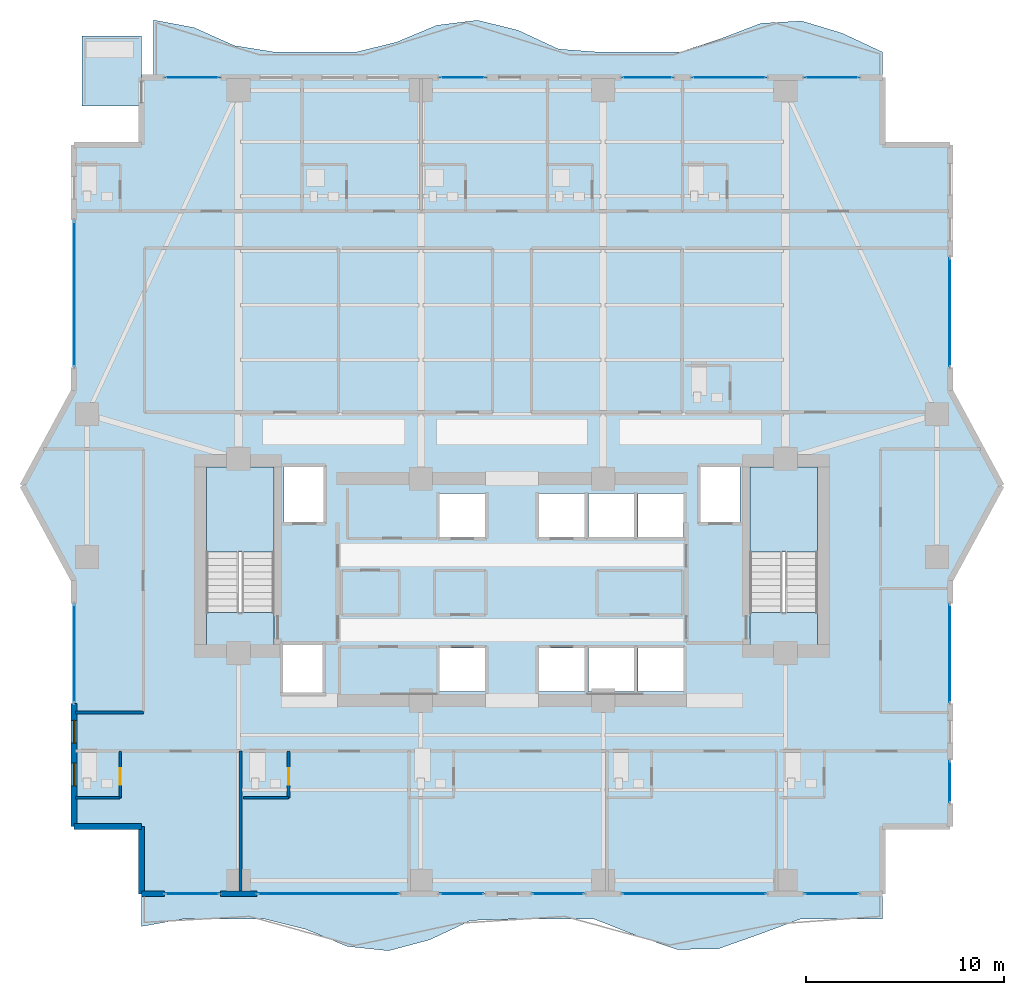
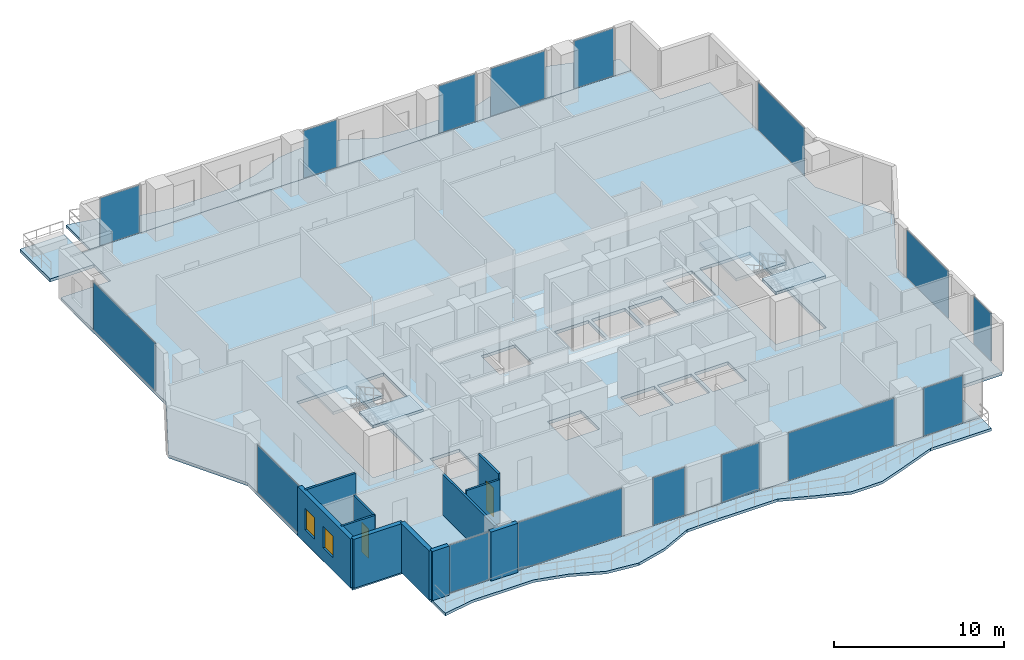
# One storey, part 23 of 32: 16 plates, 11 walls, 8 slabs, 2 doors, 2 windows, 4 openings, 18 elements without a shape of their own.
"""IFC4 building model written with IfcOpenShell, lengths in metres."""

import ifcopenshell
import ifcopenshell.guid

model = None  # the IFC model being written
_history = None  # IfcOwnerHistory: only IFC2X3 demands one
_inside = {}  # id of a spatial element -> (the spatial element, [elements in it])
_under = {}  # id of a project, library or spatial element -> (it, [spatial elements below it])
_declared = {}  # id of a project -> (the project, [libraries it declares])
_typed = {}  # id of a type object -> (the type object, [elements of that type])
_made_of = {}  # id of a material, layer set ... -> (it, [elements and type objects made of it])


def new_model(schema):
    """Start an empty IFC model of exactly this schema.

    Asked for "IFC4X3", IfcOpenShell would pick the latest addendum, in which some entities
    have other attributes; the version numbers below select the first issue.
    IFC2X3 requires an IfcOwnerHistory on every rooted entity: one is made here for all.
    """
    global model, _history
    if schema == "IFC4X3":
        model = ifcopenshell.file(schema_version=(4, 3, 0, 0))
    else:
        model = ifcopenshell.file(schema=schema)
    _inside.clear()
    _under.clear()
    _declared.clear()
    _typed.clear()
    _made_of.clear()
    _history = None
    if model.schema == "IFC2X3":
        org = make("IfcOrganization", Name="unknown")
        user = make(
            "IfcPersonAndOrganization",
            ThePerson=make("IfcPerson", FamilyName="unknown"),
            TheOrganization=org,
        )
        app = make(
            "IfcApplication",
            ApplicationDeveloper=org,
            Version="unknown",
            ApplicationFullName="unknown",
            ApplicationIdentifier="unknown",
        )
        _history = make(
            "IfcOwnerHistory",
            OwningUser=user,
            OwningApplication=app,
            ChangeAction="ADDED",
            CreationDate=0,
        )
    return model


def make(cls, **values):
    """One entity of the class cls with the attributes given. An attribute that is None is left unset."""
    return model.create_entity(
        cls, **{name: value for name, value in values.items() if value is not None}
    )


def rooted(cls, **values):
    """An entity with a GlobalId (a new one), such as an element, a storey or a relation."""
    return make(cls, GlobalId=ifcopenshell.guid.new(), OwnerHistory=_history, **values)


def si_unit(unit_type, name, prefix=None):
    """IfcSIUnit, for example si_unit("LENGTHUNIT", "METRE", prefix="MILLI")."""
    return make("IfcSIUnit", UnitType=unit_type, Prefix=prefix, Name=name)


def assignment(units):
    """IfcUnitAssignment: the units of a project."""
    return None if units is None else make("IfcUnitAssignment", Units=units)


def point(xyz):
    """IfcCartesianPoint."""
    return None if xyz is None else make("IfcCartesianPoint", Coordinates=xyz)


def direction(xyz):
    """IfcDirection."""
    return None if xyz is None else make("IfcDirection", DirectionRatios=xyz)


def frame(location, z_axis=None, x_axis=None):
    """IfcAxis2Placement3D, a coordinate frame: its origin and axes. An axis left out is left unset."""
    return make(
        "IfcAxis2Placement3D",
        Location=point(location),
        Axis=direction(z_axis),
        RefDirection=direction(x_axis),
    )


def frame_2d(location, x_axis=None):
    """IfcAxis2Placement2D, a coordinate frame in the plane: its origin and x axis."""
    return make(
        "IfcAxis2Placement2D", Location=point(location), RefDirection=direction(x_axis)
    )


def origin():
    """The frame at (0, 0, 0) with its axes left unset."""
    return frame((0.0, 0.0, 0.0))


def origin_2d():
    """The frame at (0, 0) in the plane with its x axis left unset."""
    return frame_2d((0.0, 0.0))


def place(relative_to, where):
    """IfcLocalPlacement: puts the frame where relative to a parent placement (None: the world)."""
    return make(
        "IfcLocalPlacement", PlacementRelTo=relative_to, RelativePlacement=where
    )


def context(
    kind, dimensions, precision=None, world=None, true_north=None, identifier=None
):
    """IfcGeometricRepresentationContext, for example the 3D "Model" context."""
    return make(
        "IfcGeometricRepresentationContext",
        ContextIdentifier=identifier,
        ContextType=kind,
        CoordinateSpaceDimension=dimensions,
        Precision=precision,
        WorldCoordinateSystem=world,
        TrueNorth=true_north,
    )


def subcontext(parent, identifier, kind, view, scale=None):
    """IfcGeometricRepresentationSubContext, for example "Body" below "Model"."""
    return make(
        "IfcGeometricRepresentationSubContext",
        ContextIdentifier=identifier,
        ContextType=kind,
        ParentContext=parent,
        TargetScale=scale,
        TargetView=view,
    )


def project(units=None, contexts=None):
    """IfcProject with its units and contexts."""
    return rooted(
        "IfcProject",
        Name="project",
        RepresentationContexts=contexts,
        UnitsInContext=assignment(units),
    )


def spatial(cls, under=None, at=None, **own):
    """A site, building, storey or space (cls), placed at a placement, below another one or the project."""
    s = rooted(cls, ObjectPlacement=at, **own)
    if under is not None:
        _under.setdefault(under.id(), (under, []))[1].append(s)
    return s


def polyline(points):
    """IfcPolyline through the points."""
    return make("IfcPolyline", Points=[point(p) for p in points])


def profile(cls, at=None, kind="AREA", **sizes):
    """A parametric profile (cls). Its sizes go by their IFC names, for example OverallWidth=200.0."""
    return make(cls, ProfileType=kind, Position=at, **sizes)


def rectangle(**sizes):
    """IfcRectangleProfileDef."""
    return profile("IfcRectangleProfileDef", **sizes)


def outline(outer, holes=None, kind="AREA"):
    """IfcArbitraryClosedProfileDef: a profile drawn as a closed curve; with holes, ...WithVoids."""
    if holes is None:
        return make("IfcArbitraryClosedProfileDef", ProfileType=kind, OuterCurve=outer)
    return make(
        "IfcArbitraryProfileDefWithVoids",
        ProfileType=kind,
        OuterCurve=outer,
        InnerCurves=holes,
    )


def extrude(swept, where, along, depth):
    """IfcExtrudedAreaSolid: the profile swept, set in the frame where, extruded along a direction by depth."""
    return make(
        "IfcExtrudedAreaSolid",
        SweptArea=swept,
        Position=where,
        ExtrudedDirection=direction(along),
        Depth=depth,
    )


def shape(context_of_items, identifier, shape_type, items):
    """IfcShapeRepresentation: the items that make up one representation, for example the "Body"."""
    return make(
        "IfcShapeRepresentation",
        ContextOfItems=context_of_items,
        RepresentationIdentifier=identifier,
        RepresentationType=shape_type,
        Items=items,
    )


def material(Name=None, Category=None):
    """IfcMaterial."""
    return make("IfcMaterial", Name=Name, Category=Category)


def layer(
    of_material, thickness, ventilated=None, Name=None, Category=None, Priority=None
):
    """IfcMaterialLayer: one layer of a wall or slab, of a material (None: an air gap)."""
    return make(
        "IfcMaterialLayer",
        Material=of_material,
        LayerThickness=thickness,
        IsVentilated=ventilated,
        Name=Name,
        Category=Category,
        Priority=Priority,
    )


def layer_set(layers, Name=None):
    """IfcMaterialLayerSet."""
    return make("IfcMaterialLayerSet", MaterialLayers=layers, LayerSetName=Name)


def made_of(thing, what):
    """Note that an element or type object is made of a material, layer set ...; save() writes the relation."""
    if what is not None:
        _made_of.setdefault(what.id(), (what, []))[1].append(thing)
    return thing


def type_object(cls, material=None, **own):
    """A type object (cls), such as IfcWallType, which elements share."""
    return made_of(rooted(cls, **own), material)


def element(
    cls,
    number,
    at=None,
    inside=None,
    cuts=None,
    type_object=None,
    material=None,
    context=None,
    identifier="Body",
    shape_type=None,
    held_by="IfcProductDefinitionShape",
    body=None,
    shapes=None,
    **own,
):
    """One element of the class cls, such as IfcWall. Its Tag is "e" and its number.

    at: its placement. inside: the storey or other place that contains it. cuts: it is an
    opening in that element (IfcRelVoidsElement). A single representation is given by context,
    identifier, shape_type and body (its items); several are given by shapes. held_by: the class
    of the entity that holds the representations. save() writes the other relations.
    """
    e = rooted(cls, Tag="e%d" % number, ObjectPlacement=at, **own)
    if body is not None:
        shapes = [shape(context, identifier, shape_type, body)]
    if shapes is not None:
        e.Representation = make(held_by, Representations=shapes)
    if inside is not None:
        _inside.setdefault(inside.id(), (inside, []))[1].append(e)
    if cuts is not None:
        rooted(
            "IfcRelVoidsElement", RelatingBuildingElement=cuts, RelatedOpeningElement=e
        )
    if type_object is not None:
        _typed.setdefault(type_object.id(), (type_object, []))[1].append(e)
    return made_of(e, material)


def fill(opening, filler):
    """IfcRelFillsElement: the door or window that sits in an opening."""
    return rooted(
        "IfcRelFillsElement",
        RelatingOpeningElement=opening,
        RelatedBuildingElement=filler,
    )


def aggregate(whole, parts):
    """IfcRelAggregates: a whole, such as a stair, and the parts it consists of."""
    return rooted("IfcRelAggregates", RelatingObject=whole, RelatedObjects=parts)


def save(model, path):
    """Write the relations noted so far, then the file.

    IfcRelAggregates (storeys below a building ...), IfcRelContainedInSpatialStructure (elements
    in a storey), IfcRelDefinesByType, IfcRelAssociatesMaterial and IfcRelDeclares: one each for
    every whole, place, type object, material and project.
    """
    for whole, parts in _under.values():
        aggregate(whole, parts)
    for where, things in _inside.values():
        rooted(
            "IfcRelContainedInSpatialStructure",
            RelatedElements=things,
            RelatingStructure=where,
        )
    for kind, things in _typed.values():
        rooted("IfcRelDefinesByType", RelatedObjects=things, RelatingType=kind)
    for what, things in _made_of.values():
        rooted("IfcRelAssociatesMaterial", RelatedObjects=things, RelatingMaterial=what)
    for by, libraries in _declared.values():
        rooted("IfcRelDeclares", RelatingContext=by, RelatedDefinitions=libraries)
    model.write(path)


model = new_model("IFC4")

# Units and contexts
model_context = context("Model", 3, precision=1e-05, world=origin(), true_north=direction((0.0, 1.0)))
body_context = subcontext(model_context, "Body", "Model", "MODEL_VIEW")
ifc_project = project(units=[si_unit("LENGTHUNIT", "METRE"), si_unit("AREAUNIT", "SQUARE_METRE"), si_unit("VOLUMEUNIT", "CUBIC_METRE"), si_unit("PLANEANGLEUNIT", "RADIAN"), si_unit("MASSUNIT", "GRAM", prefix="KILO")], contexts=[model_context])

# Site, building, storey
site_placement = place(None, origin())
site = spatial("IfcSite", under=ifc_project, at=site_placement, CompositionType="ELEMENT")
building_placement = place(site_placement, origin())
building = spatial("IfcBuilding", under=site, at=building_placement, Name="Zuhayl Quay Hotel", CompositionType="ELEMENT")
storey_placement = place(building_placement, frame((0.0, 0.0, 181.14990234375)))
storey = spatial("IfcBuildingStorey", under=building, at=storey_placement, Name="L45", CompositionType="ELEMENT", Elevation=181.14990234375)

# Curtain wall, plate
ifc_material_1 = material(Name="Anodised Aluminium 6063-T6", Category="aluminium")
ifc_layer_1 = layer(ifc_material_1, 0.175048828125, Name="Anodised Aluminium 6063-T6", Category="aluminium")
ifc_layer_set_1 = layer_set([ifc_layer_1], Name="Anodised Aluminium 6063-T6")
curtain_wall_type = type_object("IfcCurtainWallType", Name="CW_SYS_Z3", PredefinedType="USERDEFINED", material=ifc_layer_set_1)
curtain_wall_1_placement = place(storey_placement, origin())
curtain_wall_1 = element("IfcCurtainWall", 1, at=curtain_wall_1_placement, inside=storey, type_object=curtain_wall_type, Name="L45 Curtain Wall ENV_L45_E02_CW1", ObjectType="UNITISED CURTAIN WALL", PredefinedType="USERDEFINED")
ifc_material_2 = material(Name="Dark Ceramic-Fritted Solar Glass", Category="glass")
ifc_layer_2 = layer(ifc_material_2, 0.0400390625, Name="Dark Ceramic-Fritted Solar Glass", Category="glass")
ifc_layer_set_2 = layer_set([ifc_layer_2], Name="Dark Ceramic-Fritted Solar Glass")
plate_type = type_object("IfcPlateType", Name="PN_OP_VENT_Z3", PredefinedType="CURTAIN_PANEL", material=ifc_layer_set_2)
plate_1_placement = place(storey_placement, frame((-22.10009765625, 4.52490234375, 0.05517578125), z_axis=(0.0, 0.0, 1.0), x_axis=(0.0, 1.0, 0.0)))
plate_1 = element("IfcPlate", 2, at=plate_1_placement, type_object=plate_type, Name="CW-Z3 panel 1.1", PredefinedType="CURTAIN_PANEL", context=body_context, shape_type="SweptSolid", body=[
    extrude(rectangle(XDim=4.919921875, YDim=0.0400390625, at=origin_2d()), origin(), (0.0, 0.0, 1.0), 3.419921875),
])
aggregate(curtain_wall_1, [plate_1])

curtain_wall_2_placement = place(storey_placement, origin())
curtain_wall_2 = element("IfcCurtainWall", 3, at=curtain_wall_2_placement, inside=storey, type_object=curtain_wall_type, Name="L45 Curtain Wall ENV_L45_E05_CW1", ObjectType="UNITISED CURTAIN WALL", PredefinedType="USERDEFINED")
plate_2_placement = place(storey_placement, frame((-22.10009765625, 22.675048828125, 0.05517578125), z_axis=(0.0, 0.0, 1.0), x_axis=(0.0, 1.0, 0.0)))
plate_2 = element("IfcPlate", 4, at=plate_2_placement, type_object=plate_type, Name="CW-Z3 panel 1.1", PredefinedType="CURTAIN_PANEL", context=body_context, shape_type="SweptSolid", body=[
    extrude(rectangle(XDim=7.320068359375, YDim=0.0400390625, at=origin_2d()), origin(), (0.0, 0.0, 1.0), 3.419921875),
])
aggregate(curtain_wall_2, [plate_2])

curtain_wall_3_placement = place(storey_placement, origin())
curtain_wall_3 = element("IfcCurtainWall", 5, at=curtain_wall_3_placement, inside=storey, type_object=curtain_wall_type, Name="L45 Curtain Wall ENV_L45_N_CW1", ObjectType="UNITISED CURTAIN WALL", PredefinedType="USERDEFINED")
plate_3_placement = place(storey_placement, frame((-16.135009765625, 33.60009765625, 0.05517578125), z_axis=(0.0, 0.0, 1.0), x_axis=(1.0, 0.0, 0.0)))
plate_3 = element("IfcPlate", 6, at=plate_3_placement, type_object=plate_type, Name="CW-Z3 panel 1.1", PredefinedType="CURTAIN_PANEL", context=body_context, shape_type="SweptSolid", body=[
    extrude(rectangle(XDim=2.699951171875, YDim=0.0400390625, at=origin_2d()), origin(), (0.0, 0.0, 1.0), 3.419921875),
])
aggregate(curtain_wall_3, [plate_3])

curtain_wall_4_placement = place(storey_placement, origin())
curtain_wall_4 = element("IfcCurtainWall", 7, at=curtain_wall_4_placement, inside=storey, type_object=curtain_wall_type, Name="L45 Curtain Wall ENV_L45_N_CW2", ObjectType="UNITISED CURTAIN WALL", PredefinedType="USERDEFINED")
plate_4_placement = place(storey_placement, frame((-2.487548828125, 33.60009765625, 0.05517578125), z_axis=(0.0, 0.0, 1.0), x_axis=(1.0, 0.0, 0.0)))
plate_4 = element("IfcPlate", 8, at=plate_4_placement, type_object=plate_type, Name="CW-Z3 panel 1.1", PredefinedType="CURTAIN_PANEL", context=body_context, shape_type="SweptSolid", body=[
    extrude(rectangle(XDim=2.2548828125, YDim=0.0400390625, at=origin_2d()), origin(), (0.0, 0.0, 1.0), 3.419921875),
])
aggregate(curtain_wall_4, [plate_4])

curtain_wall_5_placement = place(storey_placement, origin())
curtain_wall_5 = element("IfcCurtainWall", 9, at=curtain_wall_5_placement, inside=storey, type_object=curtain_wall_type, Name="L45 Curtain Wall ENV_L45_N_CW3", ObjectType="UNITISED CURTAIN WALL", PredefinedType="USERDEFINED")
plate_5_placement = place(storey_placement, frame((6.8349609375, 33.60009765625, 0.05517578125), z_axis=(0.0, 0.0, 1.0), x_axis=(1.0, 0.0, 0.0)))
plate_5 = element("IfcPlate", 10, at=plate_5_placement, type_object=plate_type, Name="CW-Z3 panel 1.1", PredefinedType="CURTAIN_PANEL", context=body_context, shape_type="SweptSolid", body=[
    extrude(rectangle(XDim=2.5, YDim=0.0400390625, at=origin_2d()), origin(), (0.0, 0.0, 1.0), 3.419921875),
])
aggregate(curtain_wall_5, [plate_5])

curtain_wall_6_placement = place(storey_placement, origin())
curtain_wall_6 = element("IfcCurtainWall", 11, at=curtain_wall_6_placement, inside=storey, type_object=curtain_wall_type, Name="L45 Curtain Wall ENV_L45_N_CW4", ObjectType="UNITISED CURTAIN WALL", PredefinedType="USERDEFINED")
plate_6_placement = place(storey_placement, frame((10.965087890625, 33.60009765625, 0.05517578125), z_axis=(0.0, 0.0, 1.0), x_axis=(1.0, 0.0, 0.0)))
plate_6 = element("IfcPlate", 12, at=plate_6_placement, type_object=plate_type, Name="CW-Z3 panel 1.1", PredefinedType="CURTAIN_PANEL", context=body_context, shape_type="SweptSolid", body=[
    extrude(rectangle(XDim=3.699951171875, YDim=0.0400390625, at=origin_2d()), origin(), (0.0, 0.0, 1.0), 3.419921875),
])
aggregate(curtain_wall_6, [plate_6])

curtain_wall_7_placement = place(storey_placement, origin())
curtain_wall_7 = element("IfcCurtainWall", 13, at=curtain_wall_7_placement, inside=storey, type_object=curtain_wall_type, Name="L45 Curtain Wall ENV_L45_N_CW5", ObjectType="UNITISED CURTAIN WALL", PredefinedType="USERDEFINED")
plate_7_placement = place(storey_placement, frame((16.135009765625, 33.60009765625, 0.05517578125), z_axis=(0.0, 0.0, 1.0), x_axis=(1.0, 0.0, 0.0)))
plate_7 = element("IfcPlate", 14, at=plate_7_placement, type_object=plate_type, Name="CW-Z3 panel 1.1", PredefinedType="CURTAIN_PANEL", context=body_context, shape_type="SweptSolid", body=[
    extrude(rectangle(XDim=2.699951171875, YDim=0.0400390625, at=origin_2d()), origin(), (0.0, 0.0, 1.0), 3.419921875),
])
aggregate(curtain_wall_7, [plate_7])

curtain_wall_8_placement = place(storey_placement, origin())
curtain_wall_8 = element("IfcCurtainWall", 15, at=curtain_wall_8_placement, inside=storey, type_object=curtain_wall_type, Name="L45 Curtain Wall ENV_L45_E11_CW1", ObjectType="UNITISED CURTAIN WALL", PredefinedType="USERDEFINED")
plate_8_placement = place(storey_placement, frame((22.10009765625, 21.75, 0.05517578125), z_axis=(0.0, 0.0, 1.0), x_axis=(0.0, -1.0, 0.0)))
plate_8 = element("IfcPlate", 16, at=plate_8_placement, type_object=plate_type, Name="CW-Z3 panel 1.1", PredefinedType="CURTAIN_PANEL", context=body_context, shape_type="SweptSolid", body=[
    extrude(rectangle(XDim=5.469970703125, YDim=0.0400390625, at=origin_2d()), origin(), (0.0, 0.0, 1.0), 3.419921875),
])
aggregate(curtain_wall_8, [plate_8])

curtain_wall_9_placement = place(storey_placement, origin())
curtain_wall_9 = element("IfcCurtainWall", 17, at=curtain_wall_9_placement, inside=storey, type_object=curtain_wall_type, Name="L45 Curtain Wall ENV_L45_E14_CW1", ObjectType="UNITISED CURTAIN WALL", PredefinedType="USERDEFINED")
plate_9_placement = place(storey_placement, frame((22.10009765625, 4.52490234375, 0.05517578125), z_axis=(0.0, 0.0, 1.0), x_axis=(0.0, -1.0, 0.0)))
plate_9 = element("IfcPlate", 18, at=plate_9_placement, type_object=plate_type, Name="CW-Z3 panel 1.1", PredefinedType="CURTAIN_PANEL", context=body_context, shape_type="SweptSolid", body=[
    extrude(rectangle(XDim=4.919921875, YDim=0.0400390625, at=origin_2d()), origin(), (0.0, 0.0, 1.0), 3.419921875),
])
aggregate(curtain_wall_9, [plate_9])

curtain_wall_10_placement = place(storey_placement, origin())
curtain_wall_10 = element("IfcCurtainWall", 19, at=curtain_wall_10_placement, inside=storey, type_object=curtain_wall_type, Name="L45 Curtain Wall ENV_L45_E14_CW2", ObjectType="UNITISED CURTAIN WALL", PredefinedType="USERDEFINED")
plate_10_placement = place(storey_placement, frame((22.10009765625, -1.949951171875, 0.05517578125), z_axis=(0.0, 0.0, 1.0), x_axis=(0.0, -1.0, 0.0)))
plate_10 = element("IfcPlate", 20, at=plate_10_placement, type_object=plate_type, Name="CW-Z3 panel 1.1", PredefinedType="CURTAIN_PANEL", context=body_context, shape_type="SweptSolid", body=[
    extrude(rectangle(XDim=2.070068359375, YDim=0.0400390625, at=origin_2d()), origin(), (0.0, 0.0, 1.0), 3.419921875),
])
aggregate(curtain_wall_10, [plate_10])

curtain_wall_11_placement = place(storey_placement, origin())
curtain_wall_11 = element("IfcCurtainWall", 21, at=curtain_wall_11_placement, inside=storey, type_object=curtain_wall_type, Name="L45 Curtain Wall ENV_L45_S_CW1", ObjectType="UNITISED CURTAIN WALL", PredefinedType="USERDEFINED")
plate_11_placement = place(storey_placement, frame((16.135009765625, -7.60009765625, 0.05517578125), z_axis=(0.0, 0.0, 1.0), x_axis=(-1.0, 0.0, 0.0)))
plate_11 = element("IfcPlate", 22, at=plate_11_placement, type_object=plate_type, Name="CW-Z3 panel 1.1", PredefinedType="CURTAIN_PANEL", context=body_context, shape_type="SweptSolid", body=[
    extrude(rectangle(XDim=2.699951171875, YDim=0.0400390625, at=origin_2d()), origin(), (0.0, 0.0, 1.0), 3.419921875),
])
aggregate(curtain_wall_11, [plate_11])

curtain_wall_12_placement = place(storey_placement, origin())
curtain_wall_12 = element("IfcCurtainWall", 23, at=curtain_wall_12_placement, inside=storey, type_object=curtain_wall_type, Name="L45 Curtain Wall ENV_L45_S_CW2", ObjectType="UNITISED CURTAIN WALL", PredefinedType="USERDEFINED")
plate_12_placement = place(storey_placement, frame((9.199951171875, -7.60009765625, 0.05517578125), z_axis=(0.0, 0.0, 1.0), x_axis=(-1.0, 0.0, 0.0)))
plate_12 = element("IfcPlate", 24, at=plate_12_placement, type_object=plate_type, Name="CW-Z3 panel 1.1", PredefinedType="CURTAIN_PANEL", context=body_context, shape_type="SweptSolid", body=[
    extrude(rectangle(XDim=7.22998046875, YDim=0.0400390625, at=origin_2d()), origin(), (0.0, 0.0, 1.0), 3.419921875),
])
aggregate(curtain_wall_12, [plate_12])

curtain_wall_13_placement = place(storey_placement, origin())
curtain_wall_13 = element("IfcCurtainWall", 25, at=curtain_wall_13_placement, inside=storey, type_object=curtain_wall_type, Name="L45 Curtain Wall ENV_L45_S_CW3", ObjectType="UNITISED CURTAIN WALL", PredefinedType="USERDEFINED")
plate_13_placement = place(storey_placement, frame((2.327392578125, -7.60009765625, 0.05517578125), z_axis=(0.0, 0.0, 1.0), x_axis=(-1.0, 0.0, 0.0)))
plate_13 = element("IfcPlate", 26, at=plate_13_placement, type_object=plate_type, Name="CW-Z3 panel 1.1", PredefinedType="CURTAIN_PANEL", context=body_context, shape_type="SweptSolid", body=[
    extrude(rectangle(XDim=2.574951171875, YDim=0.0400390625, at=origin_2d()), origin(), (0.0, 0.0, 1.0), 3.419921875),
])
aggregate(curtain_wall_13, [plate_13])

curtain_wall_14_placement = place(storey_placement, origin())
curtain_wall_14 = element("IfcCurtainWall", 27, at=curtain_wall_14_placement, inside=storey, type_object=curtain_wall_type, Name="L45 Curtain Wall ENV_L45_S_CW4", ObjectType="UNITISED CURTAIN WALL", PredefinedType="USERDEFINED")
plate_14_placement = place(storey_placement, frame((-2.527587890625, -7.60009765625, 0.05517578125), z_axis=(0.0, 0.0, 1.0), x_axis=(-1.0, 0.0, 0.0)))
plate_14 = element("IfcPlate", 28, at=plate_14_placement, type_object=plate_type, Name="CW-Z3 panel 1.1", PredefinedType="CURTAIN_PANEL", context=body_context, shape_type="SweptSolid", body=[
    extrude(rectangle(XDim=2.175048828125, YDim=0.0400390625, at=origin_2d()), origin(), (0.0, 0.0, 1.0), 3.419921875),
])
aggregate(curtain_wall_14, [plate_14])

curtain_wall_15_placement = place(storey_placement, origin())
curtain_wall_15 = element("IfcCurtainWall", 29, at=curtain_wall_15_placement, inside=storey, type_object=curtain_wall_type, Name="L45 Curtain Wall ENV_L45_S_CW5", ObjectType="UNITISED CURTAIN WALL", PredefinedType="USERDEFINED")
plate_15_placement = place(storey_placement, frame((-9.264892578125, -7.60009765625, 0.05517578125), z_axis=(0.0, 0.0, 1.0), x_axis=(-1.0, 0.0, 0.0)))
plate_15 = element("IfcPlate", 30, at=plate_15_placement, type_object=plate_type, Name="CW-Z3 panel 1.1", PredefinedType="CURTAIN_PANEL", context=body_context, shape_type="SweptSolid", body=[
    extrude(rectangle(XDim=7.10009765625, YDim=0.0400390625, at=origin_2d()), origin(), (0.0, 0.0, 1.0), 3.419921875),
])
aggregate(curtain_wall_15, [plate_15])

curtain_wall_16_placement = place(storey_placement, origin())
curtain_wall_16 = element("IfcCurtainWall", 31, at=curtain_wall_16_placement, inside=storey, type_object=curtain_wall_type, Name="L45 Curtain Wall ENV_L45_S_CW6", ObjectType="UNITISED CURTAIN WALL", PredefinedType="USERDEFINED")
plate_16_placement = place(storey_placement, frame((-16.135009765625, -7.60009765625, 0.05517578125), z_axis=(0.0, 0.0, 1.0), x_axis=(-1.0, 0.0, 0.0)))
plate_16 = element("IfcPlate", 32, at=plate_16_placement, type_object=plate_type, Name="CW-Z3 panel 1.1", PredefinedType="CURTAIN_PANEL", context=body_context, shape_type="SweptSolid", body=[
    extrude(rectangle(XDim=2.699951171875, YDim=0.0400390625, at=origin_2d()), origin(), (0.0, 0.0, 1.0), 3.419921875),
])
aggregate(curtain_wall_16, [plate_16])

# Slabs
ifc_material_3 = material(Name="Concrete C45/55", Category="concrete")
ifc_layer_3 = layer(ifc_material_3, 0.195068359375, Name="Concrete C45/55", Category="concrete")
ifc_layer_set_3 = layer_set([ifc_layer_3], Name="Concrete C45/55")
slab_type_1 = type_object("IfcSlabType", Name="SL_BALCONY_195", PredefinedType="FLOOR", material=ifc_layer_set_3)
slab_1_placement = place(storey_placement, frame((0.0, 0.0, -0.19482421875)))
element("IfcSlab", 33, at=slab_1_placement, inside=storey, type_object=slab_type_1, Name="L45 Exterior Rippling Balcony Slab North", PredefinedType="FLOOR", context=body_context, shape_type="SweptSolid", body=[
    extrude(outline(polyline([(-18.10009765625, 33.60009765625), (18.699951171875, 33.60009765625), (18.699951171875, 34.8798828125), (16.655517578125, 35.8369140625), (14.611083984375, 36.45166015625), (12.566650390625, 36.33251953125), (10.522216796875, 35.552490234375), (8.477783203125, 34.8798828125), (6.433349609375, 34.8798828125), (4.388916015625, 34.8798828125), (2.344482421875, 35.032958984375), (0.300048828125, 35.984619140625), (-1.744384765625, 36.48779296875), (-3.788818359375, 36.235107421875), (-5.833251953125, 35.380615234375), (-7.877685546875, 34.8798828125), (-9.922119140625, 34.8798828125), (-11.966796875, 34.8798828125), (-14.010986328125, 35.206298828125), (-16.0556640625, 36.118408203125), (-18.10009765625, 36.5), (-18.10009765625, 33.60009765625)])), origin(), (0.0, 0.0, 1.0), 0.19482421875),
])
slab_2_placement = place(storey_placement, frame((0.0, 0.0, -0.19482421875)))
element("IfcSlab", 34, at=slab_2_placement, inside=storey, type_object=slab_type_1, Name="L45 Exterior Rippling Balcony Slab South", PredefinedType="FLOOR", context=body_context, shape_type="SweptSolid", body=[
    extrude(outline(polyline([(-18.699951171875, -9.25), (-16.622314453125, -8.8798828125), (-14.54443359375, -8.8798828125), (-12.466796875, -8.8798828125), (-10.388916015625, -9.40234375), (-8.31103515625, -10.258056640625), (-6.2333984375, -10.47900390625), (-4.155517578125, -9.92626953125), (-2.077880859375, -8.947509765625), (0.0, -8.8798828125), (2.077880859375, -8.8798828125), (4.155517578125, -8.8798828125), (6.2333984375, -9.697998046875), (8.31103515625, -10.406982421875), (10.388916015625, -10.387451171875), (12.466796875, -9.65185546875), (14.54443359375, -8.8798828125), (16.622314453125, -8.8798828125), (18.699951171875, -8.8798828125), (18.699951171875, -7.60009765625), (-18.699951171875, -7.60009765625), (-18.699951171875, -9.25)])), origin(), (0.0, 0.0, 1.0), 0.19482421875),
])
ifc_layer_4 = layer(ifc_material_3, 0.219970703125, Name="Concrete C45/55", Category="concrete")
ifc_layer_set_4 = layer_set([ifc_layer_4], Name="Concrete C45/55")
slab_type_2 = type_object("IfcSlabType", Name="SL_FLOOR_220", PredefinedType="FLOOR", material=ifc_layer_set_4)
slab_3_placement = place(storey_placement, frame((0.0, 0.0, -0.219970703125)))
element("IfcSlab", 35, at=slab_3_placement, inside=storey, type_object=slab_type_2, Name="L45 Structural Floor Slab", PredefinedType="FLOOR", context=body_context, shape_type="SweptSolid", body=[
    extrude(outline(polyline([(-18.699951171875, -7.60009765625), (18.699951171875, -7.60009765625), (18.699951171875, -4.199951171875), (22.10009765625, -4.199951171875), (22.10009765625, 8.199951171875), (24.699951171875, 13.0), (22.10009765625, 17.800048828125), (22.10009765625, 30.199951171875), (18.699951171875, 30.199951171875), (18.699951171875, 33.60009765625), (-18.699951171875, 33.60009765625), (-18.699951171875, 30.199951171875), (-22.10009765625, 30.199951171875), (-22.10009765625, 17.800048828125), (-24.699951171875, 13.0), (-22.10009765625, 8.199951171875), (-22.10009765625, -4.199951171875), (-18.699951171875, -4.199951171875), (-18.699951171875, -7.60009765625)]), holes=[polyline([(-12.0, 4.949951171875), (-12.0, 13.949951171875), (-15.429931640625, 13.949951171875), (-15.429931640625, 4.949951171875), (-12.0, 4.949951171875)]), polyline([(15.429931640625, 4.949951171875), (15.429931640625, 13.949951171875), (12.0, 13.949951171875), (12.0, 4.949951171875), (15.429931640625, 4.949951171875)]), polyline([(-11.5, 11.14990234375), (-9.5, 11.14990234375), (-9.5, 13.949951171875), (-11.5, 13.949951171875), (-11.5, 11.14990234375)]), polyline([(9.5, 11.14990234375), (11.5, 11.14990234375), (11.5, 13.949951171875), (9.5, 13.949951171875), (9.5, 11.14990234375)]), polyline([(-3.64990234375, 2.60009765625), (-1.35009765625, 2.60009765625), (-1.35009765625, 4.800048828125), (-3.64990234375, 4.800048828125), (-3.64990234375, 2.60009765625)]), polyline([(1.35009765625, 2.60009765625), (3.64990234375, 2.60009765625), (3.64990234375, 4.800048828125), (1.35009765625, 4.800048828125), (1.35009765625, 2.60009765625)]), polyline([(-3.64990234375, 10.39990234375), (-1.35009765625, 10.39990234375), (-1.35009765625, 12.60009765625), (-3.64990234375, 12.60009765625), (-3.64990234375, 10.39990234375)]), polyline([(1.35009765625, 10.39990234375), (3.64990234375, 10.39990234375), (3.64990234375, 12.60009765625), (1.35009765625, 12.60009765625), (1.35009765625, 10.39990234375)]), polyline([(3.85009765625, 2.60009765625), (6.14990234375, 2.60009765625), (6.14990234375, 4.800048828125), (3.85009765625, 4.800048828125), (3.85009765625, 2.60009765625)]), polyline([(6.35009765625, 2.60009765625), (8.64990234375, 2.60009765625), (8.64990234375, 4.800048828125), (6.35009765625, 4.800048828125), (6.35009765625, 2.60009765625)]), polyline([(3.85009765625, 10.39990234375), (6.14990234375, 10.39990234375), (6.14990234375, 12.60009765625), (3.85009765625, 12.60009765625), (3.85009765625, 10.39990234375)]), polyline([(6.35009765625, 10.39990234375), (8.64990234375, 10.39990234375), (8.64990234375, 12.60009765625), (6.35009765625, 12.60009765625), (6.35009765625, 10.39990234375)]), polyline([(-11.550048828125, 2.550048828125), (-9.550048828125, 2.550048828125), (-9.550048828125, 4.949951171875), (-11.550048828125, 4.949951171875), (-11.550048828125, 2.550048828125)])]), origin(), (0.0, 0.0, 1.0), 0.219970703125),
])

# Stair, slabs
stair_type = type_object("IfcStairType", Name="ST_DOGLEG_TOWER", PredefinedType="HALF_TURN_STAIR", material=ifc_material_3)
stair_1_placement = place(storey_placement, origin())
stair_1 = element("IfcStair", 36, at=stair_1_placement, inside=storey, type_object=stair_type, Name="L45 Smokeproof Exit Stair ST1", PredefinedType="HALF_TURN_STAIR")
ifc_layer_5 = layer(ifc_material_3, 0.199951171875, Name="Concrete C45/55", Category="concrete")
ifc_layer_set_5 = layer_set([ifc_layer_5], Name="Concrete C45/55")
slab_type_3 = type_object("IfcSlabType", Name="SL_STAIR_LANDING_200", PredefinedType="LANDING", material=ifc_layer_set_5)
slab_4_placement = place(storey_placement, frame((0.0, 0.0, 1.675048828125)))
slab_4 = element("IfcSlab", 37, at=slab_4_placement, type_object=slab_type_3, Name="ST1 landing 1", PredefinedType="LANDING", context=body_context, shape_type="SweptSolid", body=[
    extrude(outline(polyline([(-12.0, 9.64990234375), (-12.0, 13.949951171875), (-15.429931640625, 13.949951171875), (-15.429931640625, 9.64990234375), (-12.0, 9.64990234375)])), origin(), (0.0, 0.0, 1.0), 0.199951171875),
])
slab_5_placement = place(storey_placement, frame((0.0, 0.0, 3.550048828125)))
slab_5 = element("IfcSlab", 38, at=slab_5_placement, type_object=slab_type_3, Name="ST1 landing 2", PredefinedType="LANDING", context=body_context, shape_type="SweptSolid", body=[
    extrude(outline(polyline([(-12.0, 4.949951171875), (-12.0, 6.590087890625), (-15.429931640625, 6.590087890625), (-15.429931640625, 4.949951171875), (-12.0, 4.949951171875)])), origin(), (0.0, 0.0, 1.0), 0.199951171875),
])
aggregate(stair_1, [slab_4, slab_5])

stair_2_placement = place(storey_placement, origin())
stair_2 = element("IfcStair", 39, at=stair_2_placement, inside=storey, type_object=stair_type, Name="L45 Smokeproof Exit Stair ST2", PredefinedType="HALF_TURN_STAIR")
slab_6_placement = place(storey_placement, frame((0.0, 0.0, 1.675048828125)))
slab_6 = element("IfcSlab", 40, at=slab_6_placement, type_object=slab_type_3, Name="ST2 landing 1", PredefinedType="LANDING", context=body_context, shape_type="SweptSolid", body=[
    extrude(outline(polyline([(15.429931640625, 9.64990234375), (15.429931640625, 13.949951171875), (12.0, 13.949951171875), (12.0, 9.64990234375), (15.429931640625, 9.64990234375)])), origin(), (0.0, 0.0, 1.0), 0.199951171875),
])
slab_7_placement = place(storey_placement, frame((0.0, 0.0, 3.550048828125)))
slab_7 = element("IfcSlab", 41, at=slab_7_placement, type_object=slab_type_3, Name="ST2 landing 2", PredefinedType="LANDING", context=body_context, shape_type="SweptSolid", body=[
    extrude(outline(polyline([(15.429931640625, 4.949951171875), (15.429931640625, 6.590087890625), (12.0, 6.590087890625), (12.0, 4.949951171875), (15.429931640625, 4.949951171875)])), origin(), (0.0, 0.0, 1.0), 0.199951171875),
])
aggregate(stair_2, [slab_6, slab_7])

# Slab
ifc_layer_6 = layer(ifc_material_3, 0.219970703125, Name="Concrete C45/55", Category="concrete")
ifc_layer_set_6 = layer_set([ifc_layer_6], Name="Concrete C45/55")
slab_type_4 = type_object("IfcSlabType", Name="SL_TERRACE_235", PredefinedType="FLOOR", material=ifc_layer_set_6)
slab_8_placement = place(storey_placement, frame((0.0, 0.0, -0.219970703125)))
element("IfcSlab", 42, at=slab_8_placement, inside=storey, type_object=slab_type_4, Name="L45 Exterior Sky-Terrace Slab L45_SPIRAL_NW", PredefinedType="FLOOR", context=body_context, shape_type="SweptSolid", body=[
    extrude(outline(polyline([(-21.699951171875, 32.14990234375), (-18.699951171875, 32.14990234375), (-18.699951171875, 35.699951171875), (-21.699951171875, 35.699951171875), (-21.699951171875, 32.14990234375)])), origin(), (0.0, 0.0, 1.0), 0.219970703125),
])

# Wall
ifc_material_4 = material(Name="Precast concrete C45/55", Category="concrete")
ifc_layer_7 = layer(ifc_material_4, 0.300048828125, Name="Precast concrete C45/55", Category="concrete")
ifc_layer_set_7 = layer_set([ifc_layer_7], Name="Precast concrete C45/55")
wall_type_1 = type_object("IfcWallType", Name="WL_EXT_300", PredefinedType="STANDARD", material=ifc_layer_set_7)
wall_1_placement = place(storey_placement, frame((-18.699951171875, -4.199951171875, 0.0), z_axis=(0.0, 0.0, 1.0), x_axis=(-1.0, 0.0, 0.0)))
element("IfcWall", 43, at=wall_1_placement, inside=storey, type_object=wall_type_1, Name="L45 Exterior Precast Wall ENV_L45_EW01", PredefinedType="STANDARD", context=body_context, shape_type="SweptSolid", body=[
    extrude(rectangle(XDim=3.400146484375, YDim=0.300048828125, at=frame_2d((1.7001953125, 0.0))), origin(), (0.0, 0.0, 1.0), 3.530029296875),
])

# Wall, openings, windows
wall_2_placement = place(storey_placement, frame((-22.10009765625, -4.199951171875, 0.0), z_axis=(0.0, 0.0, 1.0), x_axis=(0.0, 1.0, 0.0)))
wall_2 = element("IfcWall", 44, at=wall_2_placement, inside=storey, type_object=wall_type_1, Name="L45 Exterior Precast Wall ENV_L45_E02_EW1", PredefinedType="STANDARD", context=body_context, shape_type="SweptSolid", body=[
    extrude(rectangle(XDim=6.199951171875, YDim=0.300048828125, at=frame_2d((3.10009765625, 0.0))), origin(), (0.0, 0.0, 1.0), 3.530029296875),
])
opening_1_placement = place(wall_2_placement, frame((2.044921875, 0.0, 0.949951171875)))
opening_1 = element("IfcOpeningElement", 45, at=opening_1_placement, cuts=wall_2, Name="Opening W01N", PredefinedType="OPENING", context=body_context, shape_type="SweptSolid", body=[
    extrude(rectangle(XDim=1.14990234375, YDim=1.550048828125, at=frame_2d((0.574951171875, 0.77490234375))), frame((0.0, 0.159912109375, 0.0), z_axis=(0.0, -1.0, 0.0), x_axis=(1.0, 0.0, 0.0)), (0.0, 0.0, 1.0), 0.320068359375),
])
opening_2_placement = place(wall_2_placement, frame((4.199951171875, 0.0, 0.949951171875)))
opening_2 = element("IfcOpeningElement", 46, at=opening_2_placement, cuts=wall_2, Name="Opening W01N", PredefinedType="OPENING", context=body_context, shape_type="SweptSolid", body=[
    extrude(rectangle(XDim=1.14990234375, YDim=1.550048828125, at=frame_2d((0.574951171875, 0.77490234375))), frame((0.0, 0.159912109375, 0.0), z_axis=(0.0, -1.0, 0.0), x_axis=(1.0, 0.0, 0.0)), (0.0, 0.0, 1.0), 0.320068359375),
])
window_type = type_object("IfcWindowType", Name="WN_NOTCH_1350", PartitioningType="SINGLE_PANEL", PredefinedType="WINDOW", material=ifc_material_2)
window_1_placement = place(opening_1_placement, origin())
window_1 = element("IfcWindow", 47, at=window_1_placement, inside=storey, type_object=window_type, Name="L45 Operable Facade Window 1-1", OverallHeight=1.550048828125, OverallWidth=1.14990234375, PartitioningType="SINGLE_PANEL", PredefinedType="WINDOW", context=body_context, shape_type="SweptSolid", body=[
    extrude(rectangle(XDim=1.14990234375, YDim=1.550048828125, at=frame_2d((0.574951171875, 0.77490234375))), frame((0.0, 0.030029296875, 0.0), z_axis=(0.0, -1.0, 0.0), x_axis=(1.0, 0.0, 0.0)), (0.0, 0.0, 1.0), 0.06005859375),
])
fill(opening_1, window_1)
window_2_placement = place(opening_2_placement, origin())
window_2 = element("IfcWindow", 48, at=window_2_placement, inside=storey, type_object=window_type, Name="L45 Operable Facade Window 1-2", OverallHeight=1.550048828125, OverallWidth=1.14990234375, PartitioningType="SINGLE_PANEL", PredefinedType="WINDOW", context=body_context, shape_type="SweptSolid", body=[
    extrude(rectangle(XDim=1.14990234375, YDim=1.550048828125, at=frame_2d((0.574951171875, 0.77490234375))), frame((0.0, 0.030029296875, 0.0), z_axis=(0.0, -1.0, 0.0), x_axis=(1.0, 0.0, 0.0)), (0.0, 0.0, 1.0), 0.06005859375),
])
fill(opening_2, window_2)

# Walls
wall_3_placement = place(storey_placement, frame((-12.8798828125, -7.60009765625, 0.0), z_axis=(0.0, 0.0, 1.0), x_axis=(-1.0, 0.0, 0.0)))
element("IfcWall", 49, at=wall_3_placement, inside=storey, type_object=wall_type_1, Name="L45 Exterior Precast Wall ENV_L45_S_EW6", PredefinedType="STANDARD", context=body_context, shape_type="SweptSolid", body=[
    extrude(rectangle(XDim=1.840087890625, YDim=0.300048828125, at=frame_2d((0.919921875, 0.0))), origin(), (0.0, 0.0, 1.0), 3.530029296875),
])
wall_4_placement = place(storey_placement, frame((-17.550048828125, -7.60009765625, 0.0), z_axis=(0.0, 0.0, 1.0), x_axis=(-1.0, 0.0, 0.0)))
element("IfcWall", 50, at=wall_4_placement, inside=storey, type_object=wall_type_1, Name="L45 Exterior Precast Wall ENV_L45_S_EW7", PredefinedType="STANDARD", context=body_context, shape_type="SweptSolid", body=[
    extrude(rectangle(XDim=1.14990234375, YDim=0.300048828125, at=frame_2d((0.574951171875, 0.0))), origin(), (0.0, 0.0, 1.0), 3.530029296875),
])
wall_5_placement = place(storey_placement, frame((-18.699951171875, -7.60009765625, 0.0), z_axis=(0.0, 0.0, 1.0), x_axis=(0.0, 1.0, 0.0)))
element("IfcWall", 51, at=wall_5_placement, inside=storey, type_object=wall_type_1, Name="L45 Exterior Precast Wall ENV_L45_EW18", PredefinedType="STANDARD", context=body_context, shape_type="SweptSolid", body=[
    extrude(rectangle(XDim=3.400146484375, YDim=0.300048828125, at=frame_2d((1.7001953125, 0.0))), origin(), (0.0, 0.0, 1.0), 3.530029296875),
])
ifc_material_5 = material(Name="Acoustic Gypsum Partition STC-58")
ifc_layer_8 = layer(ifc_material_5, 0.14990234375, Name="Acoustic Gypsum Partition STC-58")
ifc_layer_set_8 = layer_set([ifc_layer_8], Name="Acoustic Gypsum Partition STC-58")
wall_type_2 = type_object("IfcWallType", Name="WL_PART_150", PredefinedType="PARTITIONING", material=ifc_layer_set_8)
wall_6_placement = place(storey_placement, frame((-13.699951171875, -7.52001953125, 0.0), z_axis=(0.0, 0.0, 1.0), x_axis=(0.0, 1.0, 0.0)))
element("IfcWall", 52, at=wall_6_placement, inside=storey, type_object=wall_type_2, Name="L45 Partition IW_L45_SU01A_E", PredefinedType="PARTITIONING", context=body_context, shape_type="SweptSolid", body=[
    extrude(rectangle(XDim=7.1201171875, YDim=0.14990234375, at=frame_2d((3.56005859375, 0.0))), origin(), (0.0, 0.0, 1.0), 2.923095703125),
])
wall_7_placement = place(storey_placement, frame((-22.0400390625, 1.550048828125, 0.0), z_axis=(0.0, 0.0, 1.0), x_axis=(1.0, 0.0, 0.0)))
element("IfcWall", 53, at=wall_7_placement, inside=storey, type_object=wall_type_2, Name="L45 Partition IW_L45_WPROW_1_S", PredefinedType="PARTITIONING", context=body_context, shape_type="SweptSolid", body=[
    extrude(rectangle(XDim=3.43994140625, YDim=0.14990234375, at=frame_2d((1.719970703125, 0.0))), origin(), (0.0, 0.0, 1.0), 3.530029296875),
])

# Wall, opening, door
ifc_material_6 = material(Name="Moisture-Resistant Sanitarychase Gypsum")
ifc_layer_9 = layer(ifc_material_6, 0.135009765625, Name="Moisture-Resistant Sanitarychase Gypsum")
ifc_layer_set_9 = layer_set([ifc_layer_9], Name="Moisture-Resistant Sanitarychase Gypsum")
wall_type_3 = type_object("IfcWallType", Name="WL_PART_PLUMB_150", PredefinedType="PLUMBINGWALL", material=ifc_layer_set_9)
wall_8_placement = place(storey_placement, frame((-19.780029296875, -2.760009765625, 0.0), z_axis=(0.0, 0.0, 1.0), x_axis=(0.0, 1.0, 0.0)))
wall_8 = element("IfcWall", 54, at=wall_8_placement, inside=storey, type_object=wall_type_3, Name="L45 Partition IW_L45_SU01A_BE", PredefinedType="PLUMBINGWALL", context=body_context, shape_type="SweptSolid", body=[
    extrude(rectangle(XDim=2.360107421875, YDim=0.135009765625, at=frame_2d((1.18017578125, 0.0))), origin(), (0.0, 0.0, 1.0), 3.530029296875),
])
opening_3_placement = place(wall_8_placement, frame((0.64990234375, 0.0, 0.0)))
opening_3 = element("IfcOpeningElement", 55, at=opening_3_placement, cuts=wall_8, Name="Opening D04", PredefinedType="OPENING", context=body_context, shape_type="SweptSolid", body=[
    extrude(rectangle(XDim=0.85009765625, YDim=2.10009765625, at=frame_2d((0.425048828125, 1.050048828125))), frame((0.0, 0.077392578125, 0.0), z_axis=(0.0, -1.0, 0.0), x_axis=(1.0, 0.0, 0.0)), (0.0, 0.0, 1.0), 0.155029296875),
])
ifc_material_7 = material(Name="Moisture-Resistant Walnut Veneer")
door_type = type_object("IfcDoorType", Name="DR_BATH_850", OperationType="NOTDEFINED", PredefinedType="DOOR", material=ifc_material_7)
door_1_placement = place(opening_3_placement, origin())
door_1 = element("IfcDoor", 56, at=door_1_placement, inside=storey, type_object=door_type, Name="L45 City-View Junior Suite L45-01A En-Suite Door", OperationType="SINGLE_SWING_RIGHT", OverallHeight=2.10009765625, OverallWidth=0.85009765625, PredefinedType="DOOR", context=body_context, shape_type="SweptSolid", body=[
    extrude(rectangle(XDim=0.85009765625, YDim=2.10009765625, at=frame_2d((0.425048828125, 1.050048828125))), frame((0.0, 0.02490234375, 0.0), z_axis=(0.0, -1.0, 0.0), x_axis=(1.0, 0.0, 0.0)), (0.0, 0.0, 1.0), 0.050048828125),
])
fill(opening_3, door_1)

wall_9_placement = place(storey_placement, frame((-11.280029296875, -2.760009765625, 0.0), z_axis=(0.0, 0.0, 1.0), x_axis=(0.0, 1.0, 0.0)))
wall_9 = element("IfcWall", 57, at=wall_9_placement, inside=storey, type_object=wall_type_3, Name="L45 Partition IW_L45_SU01B_BE", PredefinedType="PLUMBINGWALL", context=body_context, shape_type="SweptSolid", body=[
    extrude(rectangle(XDim=2.360107421875, YDim=0.135009765625, at=frame_2d((1.18017578125, 0.0))), origin(), (0.0, 0.0, 1.0), 3.530029296875),
])
opening_4_placement = place(wall_9_placement, frame((0.64990234375, 0.0, 0.0)))
opening_4 = element("IfcOpeningElement", 58, at=opening_4_placement, cuts=wall_9, Name="Opening D04", PredefinedType="OPENING", context=body_context, shape_type="SweptSolid", body=[
    extrude(rectangle(XDim=0.85009765625, YDim=2.10009765625, at=frame_2d((0.425048828125, 1.050048828125))), frame((0.0, 0.077392578125, 0.0), z_axis=(0.0, -1.0, 0.0), x_axis=(1.0, 0.0, 0.0)), (0.0, 0.0, 1.0), 0.155029296875),
])
door_2_placement = place(opening_4_placement, origin())
door_2 = element("IfcDoor", 59, at=door_2_placement, inside=storey, type_object=door_type, Name="L45 City-View Junior Suite L45-01B En-Suite Door", OperationType="SINGLE_SWING_RIGHT", OverallHeight=2.10009765625, OverallWidth=0.85009765625, PredefinedType="DOOR", context=body_context, shape_type="SweptSolid", body=[
    extrude(rectangle(XDim=0.85009765625, YDim=2.10009765625, at=frame_2d((0.425048828125, 1.050048828125))), frame((0.0, 0.02490234375, 0.0), z_axis=(0.0, -1.0, 0.0), x_axis=(1.0, 0.0, 0.0)), (0.0, 0.0, 1.0), 0.050048828125),
])
fill(opening_4, door_2)

# Walls
wall_10_placement = place(storey_placement, frame((-22.0400390625, -2.760009765625, 0.0), z_axis=(0.0, 0.0, 1.0), x_axis=(1.0, 0.0, 0.0)))
element("IfcWall", 60, at=wall_10_placement, inside=storey, type_object=wall_type_3, Name="L45 Partition IW_L45_SU01A_BS", PredefinedType="PLUMBINGWALL", context=body_context, shape_type="SweptSolid", body=[
    extrude(rectangle(XDim=2.260009765625, YDim=0.135009765625, at=frame_2d((1.1298828125, 0.0))), origin(), (0.0, 0.0, 1.0), 3.530029296875),
])
wall_11_placement = place(storey_placement, frame((-13.5400390625, -2.760009765625, 0.0), z_axis=(0.0, 0.0, 1.0), x_axis=(1.0, 0.0, 0.0)))
element("IfcWall", 61, at=wall_11_placement, inside=storey, type_object=wall_type_3, Name="L45 Partition IW_L45_SU01B_BS", PredefinedType="PLUMBINGWALL", context=body_context, shape_type="SweptSolid", body=[
    extrude(rectangle(XDim=2.260009765625, YDim=0.135009765625, at=frame_2d((1.1298828125, 0.0))), origin(), (0.0, 0.0, 1.0), 3.1240234375),
])

save(model, "model.ifc")
